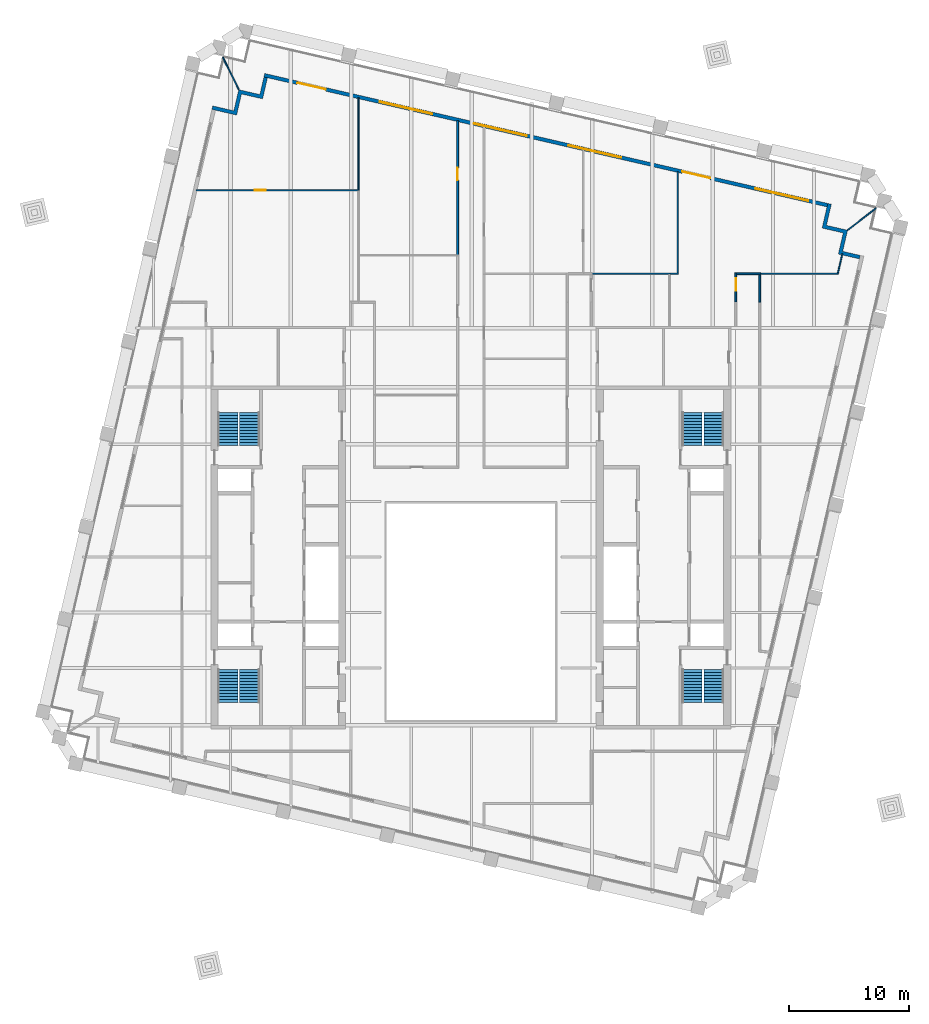
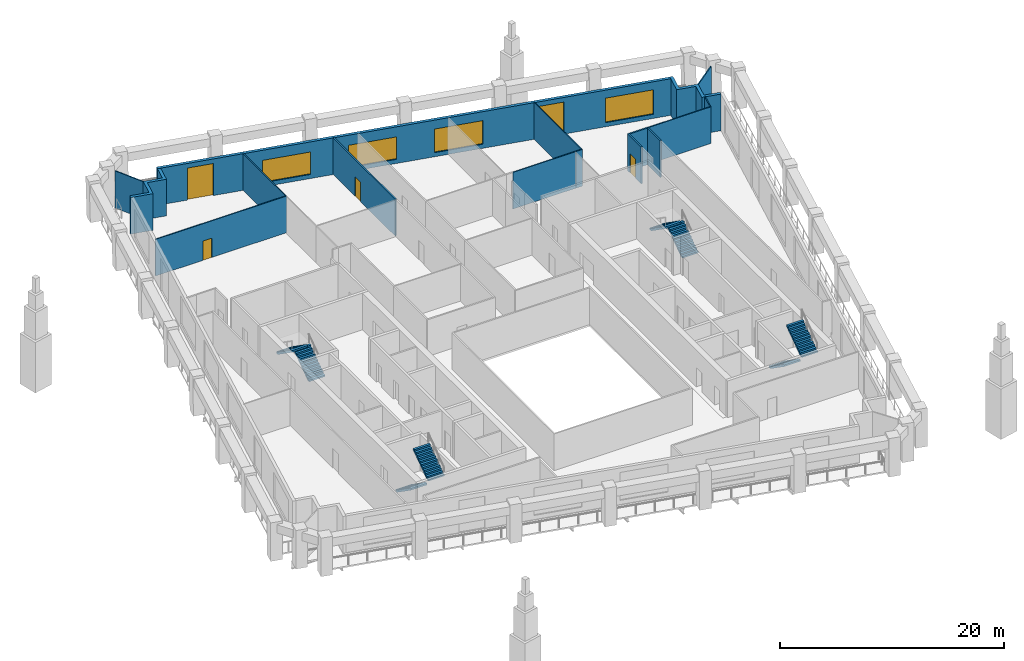
# One storey, part 8 of 9: 16 walls, 8 stair flights, 5 doors, 4 windows, 9 openings, 4 elements without a shape of their own.
"""IFC4 building model written with IfcOpenShell, lengths in metres."""

from ifc_helpers import new_model, si_unit, direction, frame, frame_2d, origin, place, context, subcontext, project, spatial, polyline, rectangle, outline, extrude, material, layer, layer_set, type_object, element, fill, aggregate, save


model = new_model("IFC4")

# Units and contexts
model_context = context("Model", 3, precision=1e-05, world=origin(), true_north=direction((0.0, 1.0)))
body_context = subcontext(model_context, "Body", "Model", "MODEL_VIEW")
ifc_project = project(units=[si_unit("LENGTHUNIT", "METRE"), si_unit("AREAUNIT", "SQUARE_METRE"), si_unit("VOLUMEUNIT", "CUBIC_METRE"), si_unit("PLANEANGLEUNIT", "RADIAN"), si_unit("MASSUNIT", "GRAM", prefix="KILO")], contexts=[model_context])

# Site, building, storey
site_placement = place(None, origin())
site = spatial("IfcSite", under=ifc_project, at=site_placement, CompositionType="ELEMENT")
building_placement = place(site_placement, origin())
building = spatial("IfcBuilding", under=site, at=building_placement, Name="Ogive Exchange Tower", CompositionType="ELEMENT")
storey_placement = place(building_placement, frame((0.0, 0.0, 243.0)))
storey = spatial("IfcBuildingStorey", under=building, at=storey_placement, Name="L52", CompositionType="ELEMENT", Elevation=243.0)

# Wall, opening, door
ifc_material_1 = material(Name="Fire partition EI 60 150")
ifc_layer_1 = layer(ifc_material_1, 0.14990234375)
ifc_layer_set_1 = layer_set([ifc_layer_1], Name="Fire partition EI 60 150")
wall_type_1 = type_object("IfcWallType", Name="Fire partition EI 60 150", PredefinedType="PARTITIONING", material=ifc_layer_set_1)
wall_1_placement = place(storey_placement, frame((-1.10009765625, 36.639892578125, 0.0), z_axis=(0.0, 0.0, 1.0), x_axis=(0.0, 1.0, 0.0)))
wall_1 = element("IfcWall", 1, at=wall_1_placement, inside=storey, type_object=wall_type_1, Name="L52-PWL-026", PredefinedType="PARTITIONING", context=body_context, shape_type="SweptSolid", body=[
    extrude(rectangle(XDim=11.13818359375, YDim=0.14990234375, at=frame_2d((5.569091796875, 0.0))), origin(), (0.0, 0.0, 1.0), 4.0),
])
opening_1_placement = place(wall_1_placement, frame((6.2099609375, 0.0, 0.0)))
opening_1 = element("IfcOpeningElement", 2, at=opening_1_placement, cuts=wall_1, Name="Opening L52-I03", PredefinedType="OPENING", context=body_context, shape_type="SweptSolid", body=[
    extrude(rectangle(XDim=1.0, YDim=2.10009765625, at=frame_2d((0.5, 1.050048828125))), frame((0.0, 0.0849609375, 0.0), z_axis=(0.0, -1.0, 0.0), x_axis=(1.0, 0.0, 0.0)), (0.0, 0.0, 1.0), 0.169921875),
])
ifc_material_2 = material(Name="Fire door FD 30S 1000 x 2100")
door_type_1 = type_object("IfcDoorType", Name="Fire door FD 30S 1000 x 2100", OperationType="NOTDEFINED", PredefinedType="DOOR", material=ifc_material_2)
door_1_placement = place(opening_1_placement, origin())
door_1 = element("IfcDoor", 3, at=door_1_placement, inside=storey, type_object=door_type_1, Name="L52-IDR-003", ObjectType="DT3", OperationType="SINGLE_SWING_RIGHT", OverallHeight=2.10009765625, OverallWidth=1.0, PredefinedType="DOOR", context=body_context, shape_type="SweptSolid", body=[
    extrude(rectangle(XDim=1.0, YDim=2.10009765625, at=frame_2d((0.5, 1.050048828125))), frame((0.0, 0.02490234375, 0.0), z_axis=(0.0, -1.0, 0.0), x_axis=(1.0, 0.0, 0.0)), (0.0, 0.0, 1.0), 0.050048828125),
])
fill(opening_1, door_1)

wall_2_placement = place(storey_placement, frame((22.010009765625, 32.699951171875, 0.0), z_axis=(0.0, 0.0, 1.0), x_axis=(0.0, 1.0, 0.0)))
wall_2 = element("IfcWall", 4, at=wall_2_placement, inside=storey, type_object=wall_type_1, Name="L52-PWL-049", PredefinedType="PARTITIONING", context=body_context, shape_type="SweptSolid", body=[
    extrude(rectangle(XDim=2.445068359375, YDim=0.14990234375, at=frame_2d((1.22265625, 0.0))), origin(), (0.0, 0.0, 1.0), 4.0),
])
opening_2_placement = place(wall_2_placement, frame((0.969970703125, 0.0, 0.0)))
opening_2 = element("IfcOpeningElement", 5, at=opening_2_placement, cuts=wall_2, Name="Opening L52-I14", PredefinedType="OPENING", context=body_context, shape_type="SweptSolid", body=[
    extrude(rectangle(XDim=1.0, YDim=2.10009765625, at=frame_2d((0.5, 1.050048828125))), frame((0.0, 0.0849609375, 0.0), z_axis=(0.0, -1.0, 0.0), x_axis=(1.0, 0.0, 0.0)), (0.0, 0.0, 1.0), 0.169921875),
])
door_2_placement = place(opening_2_placement, origin())
door_2 = element("IfcDoor", 6, at=door_2_placement, inside=storey, type_object=door_type_1, Name="L52-IDR-014", ObjectType="DT3", OperationType="SINGLE_SWING_RIGHT", OverallHeight=2.10009765625, OverallWidth=1.0, PredefinedType="DOOR", context=body_context, shape_type="SweptSolid", body=[
    extrude(rectangle(XDim=1.0, YDim=2.10009765625, at=frame_2d((0.5, 1.050048828125))), frame((0.0, 0.02490234375, 0.0), z_axis=(0.0, -1.0, 0.0), x_axis=(1.0, 0.0, 0.0)), (0.0, 0.0, 1.0), 0.050048828125),
])
fill(opening_2, door_2)

# Walls
wall_3_placement = place(storey_placement, frame((22.0849609375, 35.070068359375, 0.0), z_axis=(0.0, 0.0, 1.0), x_axis=(1.0, 0.0, 0.0)))
element("IfcWall", 7, at=wall_3_placement, inside=storey, type_object=wall_type_1, Name="L52-PWL-050", PredefinedType="PARTITIONING", context=body_context, shape_type="SweptSolid", body=[
    extrude(rectangle(XDim=1.97998046875, YDim=0.14990234375, at=frame_2d((0.989990234375, 0.0))), origin(), (0.0, 0.0, 1.0), 4.0),
])
wall_4_placement = place(storey_placement, frame((23.989990234375, 34.9951171875, 0.0), z_axis=(0.0, 0.0, 1.0), x_axis=(0.0, -1.0, 0.0)))
element("IfcWall", 8, at=wall_4_placement, inside=storey, type_object=wall_type_1, Name="L52-PWL-052", PredefinedType="PARTITIONING", context=body_context, shape_type="SweptSolid", body=[
    extrude(rectangle(XDim=2.295166015625, YDim=0.14990234375, at=frame_2d((1.1474609375, 0.0))), origin(), (0.0, 0.0, 1.0), 4.0),
])

# Wall, openings, doors, windows
ifc_material_3 = material(Name="Precast concrete C40/50", Category="concrete")
ifc_layer_2 = layer(ifc_material_3, 0.300048828125)
ifc_layer_set_2 = layer_set([ifc_layer_2], Name="Limestone-faced wall 300")
wall_type_2 = type_object("IfcWallType", Name="Limestone-faced wall 300", PredefinedType="STANDARD", material=ifc_layer_set_2)
wall_5_placement = place(storey_placement, frame((29.6162109375, 40.75830078125, 0.0), z_axis=(0.0, 0.0, 1.0), x_axis=(-0.974370532314, 0.224949029246, 0.0)))
wall_5 = element("IfcWall", 9, at=wall_5_placement, inside=storey, type_object=wall_type_2, Name="External wall N3", PredefinedType="STANDARD", context=body_context, shape_type="SweptSolid", body=[
    extrude(rectangle(XDim=48.000244140625, YDim=0.300048828125, at=frame_2d((24.0, 0.0))), origin(), (0.0, 0.0, 1.0), 4.0),
])
opening_3_placement = place(wall_5_placement, frame((1.625, 0.0, 0.449951171875)))
opening_3 = element("IfcOpeningElement", 10, at=opening_3_placement, cuts=wall_5, Name="Opening W1J", PredefinedType="OPENING", context=body_context, shape_type="SweptSolid", body=[
    extrude(rectangle(XDim=4.5, YDim=2.675048828125, at=frame_2d((2.25, 1.33740234375))), frame((0.0, 0.159912109375, 0.0), z_axis=(0.0, -1.0, 0.0), x_axis=(1.0, 0.0, 0.0)), (0.0, 0.0, 1.0), 0.320068359375),
])
opening_4_placement = place(wall_5_placement, frame((9.97509765625, 0.0, 0.0)))
opening_4 = element("IfcOpeningElement", 11, at=opening_4_placement, cuts=wall_5, Name="Opening D1", PredefinedType="OPENING", context=body_context, shape_type="SweptSolid", body=[
    extrude(rectangle(XDim=2.39990234375, YDim=3.5, at=frame_2d((1.199951171875, 1.75))), frame((0.0, 0.159912109375, 0.0), z_axis=(0.0, -1.0, 0.0), x_axis=(1.0, 0.0, 0.0)), (0.0, 0.0, 1.0), 0.320068359375),
])
opening_5_placement = place(wall_5_placement, frame((17.574951171875, 0.0, 0.449951171875)))
opening_5 = element("IfcOpeningElement", 12, at=opening_5_placement, cuts=wall_5, Name="Opening W1M", PredefinedType="OPENING", context=body_context, shape_type="SweptSolid", body=[
    extrude(rectangle(XDim=4.5, YDim=2.574951171875, at=frame_2d((2.25, 1.28759765625))), frame((0.0, 0.159912109375, 0.0), z_axis=(0.0, -1.0, 0.0), x_axis=(1.0, 0.0, 0.0)), (0.0, 0.0, 1.0), 0.320068359375),
])
opening_6_placement = place(wall_5_placement, frame((25.625, 0.0, 0.449951171875)))
opening_6 = element("IfcOpeningElement", 13, at=opening_6_placement, cuts=wall_5, Name="Opening W1Q", PredefinedType="OPENING", context=body_context, shape_type="SweptSolid", body=[
    extrude(rectangle(XDim=4.5, YDim=2.449951171875, at=frame_2d((2.25, 1.22509765625))), frame((0.0, 0.159912109375, 0.0), z_axis=(0.0, -1.0, 0.0), x_axis=(1.0, 0.0, 0.0)), (0.0, 0.0, 1.0), 0.320068359375),
])
opening_7_placement = place(wall_5_placement, frame((33.675048828125, 0.0, 0.449951171875)))
opening_7 = element("IfcOpeningElement", 14, at=opening_7_placement, cuts=wall_5, Name="Opening W1Q", PredefinedType="OPENING", context=body_context, shape_type="SweptSolid", body=[
    extrude(rectangle(XDim=4.5, YDim=2.449951171875, at=frame_2d((2.25, 1.22509765625))), frame((0.0, 0.159912109375, 0.0), z_axis=(0.0, -1.0, 0.0), x_axis=(1.0, 0.0, 0.0)), (0.0, 0.0, 1.0), 0.320068359375),
])
opening_8_placement = place(wall_5_placement, frame((42.77490234375, 0.0, 0.0)))
opening_8 = element("IfcOpeningElement", 15, at=opening_8_placement, cuts=wall_5, Name="Opening D1", PredefinedType="OPENING", context=body_context, shape_type="SweptSolid", body=[
    extrude(rectangle(XDim=2.39990234375, YDim=3.5, at=frame_2d((1.199951171875, 1.75))), frame((0.0, 0.159912109375, 0.0), z_axis=(0.0, -1.0, 0.0), x_axis=(1.0, 0.0, 0.0)), (0.0, 0.0, 1.0), 0.320068359375),
])
ifc_material_4 = material(Name="Clear glass in bronze frame", Category="glass")
door_type_2 = type_object("IfcDoorType", Name="Sliding loggia door 2400 x 3500", OperationType="DOUBLE_DOOR_SLIDING", PredefinedType="DOOR", material=ifc_material_4)
door_3_placement = place(opening_4_placement, origin())
door_3 = element("IfcDoor", 16, at=door_3_placement, inside=storey, type_object=door_type_2, Name="Loggia door N01", OperationType="DOUBLE_DOOR_SLIDING", OverallHeight=3.5, OverallWidth=2.39990234375, PredefinedType="DOOR", context=body_context, shape_type="SweptSolid", body=[
    extrude(rectangle(XDim=2.39990234375, YDim=3.5, at=frame_2d((1.199951171875, 1.75))), frame((0.0, 0.02490234375, 0.0), z_axis=(0.0, -1.0, 0.0), x_axis=(1.0, 0.0, 0.0)), (0.0, 0.0, 1.0), 0.050048828125),
])
fill(opening_4, door_3)
door_4_placement = place(opening_8_placement, origin())
door_4 = element("IfcDoor", 17, at=door_4_placement, inside=storey, type_object=door_type_2, Name="Loggia door N05", OperationType="DOUBLE_DOOR_SLIDING", OverallHeight=3.5, OverallWidth=2.39990234375, PredefinedType="DOOR", context=body_context, shape_type="SweptSolid", body=[
    extrude(rectangle(XDim=2.39990234375, YDim=3.5, at=frame_2d((1.199951171875, 1.75))), frame((0.0, 0.02490234375, 0.0), z_axis=(0.0, -1.0, 0.0), x_axis=(1.0, 0.0, 0.0)), (0.0, 0.0, 1.0), 0.050048828125),
])
fill(opening_8, door_4)
window_type_1 = type_object("IfcWindowType", Name="Twin lancet window 4500 x 2450", PartitioningType="DOUBLE_PANEL_VERTICAL", PredefinedType="WINDOW", material=ifc_material_4)
window_1_placement = place(opening_6_placement, origin())
window_1 = element("IfcWindow", 18, at=window_1_placement, inside=storey, type_object=window_type_1, Name="Window N03", OverallHeight=2.449951171875, OverallWidth=4.5, PartitioningType="DOUBLE_PANEL_VERTICAL", PredefinedType="WINDOW", context=body_context, shape_type="SweptSolid", body=[
    extrude(rectangle(XDim=4.5, YDim=2.449951171875, at=frame_2d((2.25, 1.22509765625))), frame((0.0, 0.030029296875, 0.0), z_axis=(0.0, -1.0, 0.0), x_axis=(1.0, 0.0, 0.0)), (0.0, 0.0, 1.0), 0.06005859375),
])
fill(opening_6, window_1)
window_2_placement = place(opening_7_placement, origin())
window_2 = element("IfcWindow", 19, at=window_2_placement, inside=storey, type_object=window_type_1, Name="Window N04", OverallHeight=2.449951171875, OverallWidth=4.5, PartitioningType="DOUBLE_PANEL_VERTICAL", PredefinedType="WINDOW", context=body_context, shape_type="SweptSolid", body=[
    extrude(rectangle(XDim=4.5, YDim=2.449951171875, at=frame_2d((2.25, 1.22509765625))), frame((0.0, 0.030029296875, 0.0), z_axis=(0.0, -1.0, 0.0), x_axis=(1.0, 0.0, 0.0)), (0.0, 0.0, 1.0), 0.06005859375),
])
fill(opening_7, window_2)
window_type_2 = type_object("IfcWindowType", Name="Twin lancet window 4500 x 2575", PartitioningType="DOUBLE_PANEL_VERTICAL", PredefinedType="WINDOW", material=ifc_material_4)
window_3_placement = place(opening_5_placement, origin())
window_3 = element("IfcWindow", 20, at=window_3_placement, inside=storey, type_object=window_type_2, Name="Window N02", OverallHeight=2.574951171875, OverallWidth=4.5, PartitioningType="DOUBLE_PANEL_VERTICAL", PredefinedType="WINDOW", context=body_context, shape_type="SweptSolid", body=[
    extrude(rectangle(XDim=4.5, YDim=2.574951171875, at=frame_2d((2.25, 1.28759765625))), frame((0.0, 0.030029296875, 0.0), z_axis=(0.0, -1.0, 0.0), x_axis=(1.0, 0.0, 0.0)), (0.0, 0.0, 1.0), 0.06005859375),
])
fill(opening_5, window_3)
window_type_3 = type_object("IfcWindowType", Name="Twin lancet window 4500 x 2675", PartitioningType="DOUBLE_PANEL_VERTICAL", PredefinedType="WINDOW", material=ifc_material_4)
window_4_placement = place(opening_3_placement, origin())
window_4 = element("IfcWindow", 21, at=window_4_placement, inside=storey, type_object=window_type_3, Name="Window N00", OverallHeight=2.675048828125, OverallWidth=4.5, PartitioningType="DOUBLE_PANEL_VERTICAL", PredefinedType="WINDOW", context=body_context, shape_type="SweptSolid", body=[
    extrude(rectangle(XDim=4.5, YDim=2.675048828125, at=frame_2d((2.25, 1.33740234375))), frame((0.0, 0.030029296875, 0.0), z_axis=(0.0, -1.0, 0.0), x_axis=(1.0, 0.0, 0.0)), (0.0, 0.0, 1.0), 0.06005859375),
])
fill(opening_3, window_4)

# Walls
wall_6_placement = place(storey_placement, origin())
element("IfcWall", 22, at=wall_6_placement, inside=storey, type_object=wall_type_2, Name="External corner wall C2", PredefinedType="STANDARD", context=body_context, shape_type="SweptSolid", body=[
    extrude(outline(polyline([(30.931396484375, 38.453369140625), (29.177490234375, 38.8583984375), (29.64990234375, 40.904541015625), (29.942138671875, 40.8369140625), (29.537109375, 39.0830078125), (31.291015625, 38.67822265625), (30.88623046875, 36.92431640625), (32.34765625, 36.5869140625), (32.2802734375, 36.294677734375), (30.5263671875, 36.699462890625), (30.931396484375, 38.453369140625)])), origin(), (0.0, 0.0, 1.0), 4.0),
])
wall_7_placement = place(storey_placement, origin())
element("IfcWall", 23, at=wall_7_placement, inside=storey, type_object=wall_type_2, Name="External corner wall C3", PredefinedType="STANDARD", context=body_context, shape_type="SweptSolid", body=[
    extrude(outline(polyline([(-21.5048828125, 48.7119140625), (-21.4375, 49.004150390625), (-19.68359375, 48.599365234375), (-19.27880859375, 50.353271484375), (-17.52490234375, 49.9482421875), (-17.1875, 51.409912109375), (-16.89501953125, 51.34228515625), (-17.300048828125, 49.58837890625), (-19.053955078125, 49.993408203125), (-19.458740234375, 48.239501953125), (-21.5048828125, 48.7119140625)])), origin(), (0.0, 0.0, 1.0), 4.0),
])
ifc_material_5 = material(Name="Laminated safety glass in steel frame", Category="steel")
ifc_layer_3 = layer(ifc_material_5, 0.10009765625)
ifc_layer_set_3 = layer_set([ifc_layer_3], Name="Loggia end screen 100")
wall_type_3 = type_object("IfcWallType", Name="Loggia end screen 100", PredefinedType="STANDARD", material=ifc_layer_set_3)
for number, where, z_axis, x_axis, name in (
    (24, (31.291015625, 38.67822265625, -0.050048828125), (0.0, 0.0, 1.0), (0.789894955112, 0.61324217067, 0.0), "Loggia end screen C2"),
    (25, (-19.27880859375, 50.353271484375, -0.050048828125), (0.0, 0.0, 1.0), (-0.441086650256, 0.897464521285, 0.0), "Loggia end screen C3"),
):
    element("IfcWall", number, at=place(storey_placement, frame(where, z_axis=z_axis, x_axis=x_axis)), inside=storey, type_object=wall_type_3, Name=name, PredefinedType="STANDARD", context=body_context, shape_type="SweptSolid", body=[
        extrude(rectangle(XDim=3.001708984375, YDim=0.10009765625, at=frame_2d((1.5009765625, 0.0))), origin(), (0.0, 0.0, 1.0), 4.050048828125),
    ])

# Wall, opening, door
ifc_material_6 = material(Name="Partition 100 gypsum")
ifc_layer_4 = layer(ifc_material_6, 0.10009765625)
ifc_layer_set_4 = layer_set([ifc_layer_4], Name="Partition 100 gypsum")
wall_type_4 = type_object("IfcWallType", Name="Partition 100 gypsum", PredefinedType="PARTITIONING", material=ifc_layer_set_4)
wall_8_placement = place(storey_placement, frame((-22.8291015625, 42.0, 0.0), z_axis=(0.0, 0.0, 1.0), x_axis=(1.0, 0.0, 0.0)))
wall_8 = element("IfcWall", 26, at=wall_8_placement, inside=storey, type_object=wall_type_4, Name="L52-PWL-008", PredefinedType="PARTITIONING", context=body_context, shape_type="SweptSolid", body=[
    extrude(rectangle(XDim=13.5390625, YDim=0.10009765625, at=frame_2d((6.76953125, 0.0))), origin(), (0.0, 0.0, 1.0), 4.0),
])
opening_9_placement = place(wall_8_placement, frame((4.888916015625, 0.0, 0.0)))
opening_9 = element("IfcOpeningElement", 27, at=opening_9_placement, cuts=wall_8, Name="Opening L52-I06", PredefinedType="OPENING", context=body_context, shape_type="SweptSolid", body=[
    extrude(rectangle(XDim=0.89990234375, YDim=2.10009765625, at=frame_2d((0.449951171875, 1.050048828125))), frame((0.0, 0.06005859375, 0.0), z_axis=(0.0, -1.0, 0.0), x_axis=(1.0, 0.0, 0.0)), (0.0, 0.0, 1.0), 0.1201171875),
])
ifc_material_7 = material(Name="Door 900 x 2100")
door_type_3 = type_object("IfcDoorType", Name="Door 900 x 2100", OperationType="NOTDEFINED", PredefinedType="DOOR", material=ifc_material_7)
door_5_placement = place(opening_9_placement, origin())
door_5 = element("IfcDoor", 28, at=door_5_placement, inside=storey, type_object=door_type_3, Name="L52-IDR-006", ObjectType="DT1", OperationType="SINGLE_SWING_LEFT", OverallHeight=2.10009765625, OverallWidth=0.89990234375, PredefinedType="DOOR", context=body_context, shape_type="SweptSolid", body=[
    extrude(rectangle(XDim=0.89990234375, YDim=2.10009765625, at=frame_2d((0.449951171875, 1.050048828125))), frame((0.0, 0.02490234375, 0.0), z_axis=(0.0, -1.0, 0.0), x_axis=(1.0, 0.0, 0.0)), (0.0, 0.0, 1.0), 0.050048828125),
])
fill(opening_9, door_5)

# Walls
wall_9_placement = place(storey_placement, frame((-9.340087890625, 42.050048828125, 0.0), z_axis=(0.0, 0.0, 1.0), x_axis=(0.0, 1.0, 0.0)))
element("IfcWall", 29, at=wall_9_placement, inside=storey, type_object=wall_type_4, Name="L52-PWL-019", PredefinedType="PARTITIONING", context=body_context, shape_type="SweptSolid", body=[
    extrude(rectangle(XDim=7.630859375, YDim=0.10009765625, at=frame_2d((3.8154296875, 0.0))), origin(), (0.0, 0.0, 1.0), 4.0),
])
wall_10_placement = place(storey_placement, frame((10.06494140625, 35.070068359375, 0.0), z_axis=(0.0, 0.0, 1.0), x_axis=(1.0, 0.0, 0.0)))
element("IfcWall", 30, at=wall_10_placement, inside=storey, type_object=wall_type_4, Name="L52-PWL-041", PredefinedType="PARTITIONING", context=body_context, shape_type="SweptSolid", body=[
    extrude(rectangle(XDim=6.485107421875, YDim=0.10009765625, at=frame_2d((3.24267578125, 0.0))), origin(), (0.0, 0.0, 1.0), 4.0),
])
wall_11_placement = place(storey_placement, frame((17.239990234375, 35.070068359375, 0.0), z_axis=(0.0, 0.0, 1.0), x_axis=(-1.0, 0.0, 0.0)))
element("IfcWall", 31, at=wall_11_placement, inside=storey, type_object=wall_type_4, Name="L52-PWL-046", PredefinedType="PARTITIONING", context=body_context, shape_type="SweptSolid", body=[
    extrude(rectangle(XDim=0.68994140625, YDim=0.10009765625, at=frame_2d((0.344970703125, 0.0))), origin(), (0.0, 0.0, 1.0), 4.0),
])
wall_12_placement = place(storey_placement, frame((17.18994140625, 43.555908203125, 0.0), z_axis=(0.0, 0.0, 1.0), x_axis=(0.0, -1.0, 0.0)))
element("IfcWall", 32, at=wall_12_placement, inside=storey, type_object=wall_type_4, Name="L52-PWL-047", PredefinedType="PARTITIONING", context=body_context, shape_type="SweptSolid", body=[
    extrude(rectangle(XDim=8.435791015625, YDim=0.10009765625, at=frame_2d((4.2177734375, 0.0))), origin(), (0.0, 0.0, 1.0), 4.0),
])
wall_13_placement = place(storey_placement, frame((24.06494140625, 35.070068359375, 0.0), z_axis=(0.0, 0.0, 1.0), x_axis=(1.0, 0.0, 0.0)))
element("IfcWall", 33, at=wall_13_placement, inside=storey, type_object=wall_type_4, Name="L52-PWL-053", PredefinedType="PARTITIONING", context=body_context, shape_type="SweptSolid", body=[
    extrude(rectangle(XDim=6.465087890625, YDim=0.10009765625, at=frame_2d((3.232421875, 0.0))), origin(), (0.0, 0.0, 1.0), 4.0),
])
wall_14_placement = place(storey_placement, frame((30.490966796875, 35.118896484375, 0.0), z_axis=(0.0, 0.0, 1.0), x_axis=(0.221461033886, 0.975169221453, 0.0)))
element("IfcWall", 34, at=wall_14_placement, inside=storey, type_object=wall_type_4, Name="L52-PWL-056", PredefinedType="PARTITIONING", context=body_context, shape_type="SweptSolid", body=[
    extrude(rectangle(XDim=1.648193359375, YDim=0.10009765625, at=frame_2d((0.82421875, 0.0))), origin(), (0.0, 0.0, 1.0), 4.0),
])

# Stair, stair flights
ifc_material_8 = material(Name="Concrete C40/50", Category="concrete")
stair_type = type_object("IfcStairType", Name="Exit stair 1650 wide", PredefinedType="HALF_TURN_STAIR", material=ifc_material_8)
stair_1_placement = place(storey_placement, origin())
stair_1 = element("IfcStair", 35, at=stair_1_placement, inside=storey, type_object=stair_type, Name="L52 exit stair ST1", PredefinedType="HALF_TURN_STAIR")
stair_flight_type = type_object("IfcStairFlightType", Name="Stair flight 1650 wide", PredefinedType="STRAIGHT", material=ifc_material_8)
stair_flight_1_placement = place(storey_placement, frame((-20.175048828125, 2.199951171875, 0.0), z_axis=(0.0, 0.0, 1.0), x_axis=(0.0, -1.0, 0.0)))
stair_flight_1 = element("IfcStairFlight", 36, at=stair_flight_1_placement, type_object=stair_flight_type, Name="ST1 flight 1", NumberOfRisers=12, NumberOfTreads=11, PredefinedType="STRAIGHT", RiserHeight=0.175, TreadLength=0.25, context=body_context, shape_type="SweptSolid", body=[
    extrude(outline(polyline([(0.0, 0.0), (0.0, 0.175048828125), (0.25, 0.175048828125), (0.25, 0.35009765625), (0.5, 0.35009765625), (0.5, 0.52490234375), (0.75, 0.52490234375), (0.75, 0.699951171875), (1.0, 0.699951171875), (1.0, 0.875), (1.25, 0.875), (1.25, 1.050048828125), (1.5, 1.050048828125), (1.5, 1.22509765625), (1.75, 1.22509765625), (1.75, 1.39990234375), (2.0, 1.39990234375), (2.0, 1.574951171875), (2.25, 1.574951171875), (2.25, 1.75), (2.5, 1.75), (2.5, 1.925048828125), (2.75, 1.925048828125), (2.75, 2.10009765625), (2.75, 1.741943359375), (0.261474609375, 0.0), (0.0, 0.0)])), frame((0.0, 0.824951171875, 0.0), z_axis=(0.0, -1.0, 0.0), x_axis=(1.0, 0.0, 0.0)), (0.0, 0.0, 1.0), 1.64990234375),
])
stair_flight_2_placement = place(storey_placement, frame((-18.375, -0.550048828125, 2.10009765625), z_axis=(0.0, 0.0, 1.0), x_axis=(0.0, 1.0, 0.0)))
stair_flight_2 = element("IfcStairFlight", 37, at=stair_flight_2_placement, type_object=stair_flight_type, Name="ST1 flight 2", NumberOfRisers=12, NumberOfTreads=11, PredefinedType="STRAIGHT", RiserHeight=0.175, TreadLength=0.25, context=body_context, shape_type="SweptSolid", body=[
    extrude(outline(polyline([(0.0, 0.0), (0.0, 0.175048828125), (0.25, 0.175048828125), (0.25, 0.35009765625), (0.5, 0.35009765625), (0.5, 0.52490234375), (0.75, 0.52490234375), (0.75, 0.699951171875), (1.0, 0.699951171875), (1.0, 0.875), (1.25, 0.875), (1.25, 1.050048828125), (1.5, 1.050048828125), (1.5, 1.22509765625), (1.75, 1.22509765625), (1.75, 1.39990234375), (2.0, 1.39990234375), (2.0, 1.574951171875), (2.25, 1.574951171875), (2.25, 1.75), (2.5, 1.75), (2.5, 1.925048828125), (2.75, 1.925048828125), (2.75, 2.10009765625), (2.75, 1.741943359375), (0.261474609375, 0.0), (0.0, 0.0)])), frame((0.0, 0.824951171875, 0.0), z_axis=(0.0, -1.0, 0.0), x_axis=(1.0, 0.0, 0.0)), (0.0, 0.0, 1.0), 1.64990234375),
])
aggregate(stair_1, [stair_flight_1, stair_flight_2])

stair_2_placement = place(storey_placement, origin())
stair_2 = element("IfcStair", 38, at=stair_2_placement, inside=storey, type_object=stair_type, Name="L52 exit stair ST2", PredefinedType="HALF_TURN_STAIR")
stair_flight_3_placement = place(storey_placement, frame((-18.375, 20.800048828125, 0.0), z_axis=(0.0, 0.0, 1.0), x_axis=(0.0, 1.0, 0.0)))
stair_flight_3 = element("IfcStairFlight", 39, at=stair_flight_3_placement, type_object=stair_flight_type, Name="ST2 flight 1", NumberOfRisers=12, NumberOfTreads=11, PredefinedType="STRAIGHT", RiserHeight=0.175, TreadLength=0.25, context=body_context, shape_type="SweptSolid", body=[
    extrude(outline(polyline([(0.0, 0.0), (0.0, 0.175048828125), (0.25, 0.175048828125), (0.25, 0.35009765625), (0.5, 0.35009765625), (0.5, 0.52490234375), (0.75, 0.52490234375), (0.75, 0.699951171875), (1.0, 0.699951171875), (1.0, 0.875), (1.25, 0.875), (1.25, 1.050048828125), (1.5, 1.050048828125), (1.5, 1.22509765625), (1.75, 1.22509765625), (1.75, 1.39990234375), (2.0, 1.39990234375), (2.0, 1.574951171875), (2.25, 1.574951171875), (2.25, 1.75), (2.5, 1.75), (2.5, 1.925048828125), (2.75, 1.925048828125), (2.75, 2.10009765625), (2.75, 1.741943359375), (0.261474609375, 0.0), (0.0, 0.0)])), frame((0.0, 0.824951171875, 0.0), z_axis=(0.0, -1.0, 0.0), x_axis=(1.0, 0.0, 0.0)), (0.0, 0.0, 1.0), 1.64990234375),
])
stair_flight_4_placement = place(storey_placement, frame((-20.175048828125, 23.550048828125, 2.10009765625), z_axis=(0.0, 0.0, 1.0), x_axis=(0.0, -1.0, 0.0)))
stair_flight_4 = element("IfcStairFlight", 40, at=stair_flight_4_placement, type_object=stair_flight_type, Name="ST2 flight 2", NumberOfRisers=12, NumberOfTreads=11, PredefinedType="STRAIGHT", RiserHeight=0.175, TreadLength=0.25, context=body_context, shape_type="SweptSolid", body=[
    extrude(outline(polyline([(0.0, 0.0), (0.0, 0.175048828125), (0.25, 0.175048828125), (0.25, 0.35009765625), (0.5, 0.35009765625), (0.5, 0.52490234375), (0.75, 0.52490234375), (0.75, 0.699951171875), (1.0, 0.699951171875), (1.0, 0.875), (1.25, 0.875), (1.25, 1.050048828125), (1.5, 1.050048828125), (1.5, 1.22509765625), (1.75, 1.22509765625), (1.75, 1.39990234375), (2.0, 1.39990234375), (2.0, 1.574951171875), (2.25, 1.574951171875), (2.25, 1.75), (2.5, 1.75), (2.5, 1.925048828125), (2.75, 1.925048828125), (2.75, 2.10009765625), (2.75, 1.741943359375), (0.261474609375, 0.0), (0.0, 0.0)])), frame((0.0, 0.824951171875, 0.0), z_axis=(0.0, -1.0, 0.0), x_axis=(1.0, 0.0, 0.0)), (0.0, 0.0, 1.0), 1.64990234375),
])
aggregate(stair_2, [stair_flight_3, stair_flight_4])

stair_3_placement = place(storey_placement, origin())
stair_3 = element("IfcStair", 41, at=stair_3_placement, inside=storey, type_object=stair_type, Name="L52 exit stair ST3", PredefinedType="HALF_TURN_STAIR")
stair_flight_5_placement = place(storey_placement, frame((18.375, 2.199951171875, 0.0), z_axis=(0.0, 0.0, 1.0), x_axis=(0.0, -1.0, 0.0)))
stair_flight_5 = element("IfcStairFlight", 42, at=stair_flight_5_placement, type_object=stair_flight_type, Name="ST3 flight 1", NumberOfRisers=12, NumberOfTreads=11, PredefinedType="STRAIGHT", RiserHeight=0.175, TreadLength=0.25, context=body_context, shape_type="SweptSolid", body=[
    extrude(outline(polyline([(0.0, 0.0), (0.0, 0.175048828125), (0.25, 0.175048828125), (0.25, 0.35009765625), (0.5, 0.35009765625), (0.5, 0.52490234375), (0.75, 0.52490234375), (0.75, 0.699951171875), (1.0, 0.699951171875), (1.0, 0.875), (1.25, 0.875), (1.25, 1.050048828125), (1.5, 1.050048828125), (1.5, 1.22509765625), (1.75, 1.22509765625), (1.75, 1.39990234375), (2.0, 1.39990234375), (2.0, 1.574951171875), (2.25, 1.574951171875), (2.25, 1.75), (2.5, 1.75), (2.5, 1.925048828125), (2.75, 1.925048828125), (2.75, 2.10009765625), (2.75, 1.741943359375), (0.261474609375, 0.0), (0.0, 0.0)])), frame((0.0, 0.824951171875, 0.0), z_axis=(0.0, -1.0, 0.0), x_axis=(1.0, 0.0, 0.0)), (0.0, 0.0, 1.0), 1.64990234375),
])
stair_flight_6_placement = place(storey_placement, frame((20.175048828125, -0.550048828125, 2.10009765625), z_axis=(0.0, 0.0, 1.0), x_axis=(0.0, 1.0, 0.0)))
stair_flight_6 = element("IfcStairFlight", 43, at=stair_flight_6_placement, type_object=stair_flight_type, Name="ST3 flight 2", NumberOfRisers=12, NumberOfTreads=11, PredefinedType="STRAIGHT", RiserHeight=0.175, TreadLength=0.25, context=body_context, shape_type="SweptSolid", body=[
    extrude(outline(polyline([(0.0, 0.0), (0.0, 0.175048828125), (0.25, 0.175048828125), (0.25, 0.35009765625), (0.5, 0.35009765625), (0.5, 0.52490234375), (0.75, 0.52490234375), (0.75, 0.699951171875), (1.0, 0.699951171875), (1.0, 0.875), (1.25, 0.875), (1.25, 1.050048828125), (1.5, 1.050048828125), (1.5, 1.22509765625), (1.75, 1.22509765625), (1.75, 1.39990234375), (2.0, 1.39990234375), (2.0, 1.574951171875), (2.25, 1.574951171875), (2.25, 1.75), (2.5, 1.75), (2.5, 1.925048828125), (2.75, 1.925048828125), (2.75, 2.10009765625), (2.75, 1.741943359375), (0.261474609375, 0.0), (0.0, 0.0)])), frame((0.0, 0.824951171875, 0.0), z_axis=(0.0, -1.0, 0.0), x_axis=(1.0, 0.0, 0.0)), (0.0, 0.0, 1.0), 1.64990234375),
])
aggregate(stair_3, [stair_flight_5, stair_flight_6])

stair_4_placement = place(storey_placement, origin())
stair_4 = element("IfcStair", 44, at=stair_4_placement, inside=storey, type_object=stair_type, Name="L52 exit stair ST4", PredefinedType="HALF_TURN_STAIR")
stair_flight_7_placement = place(storey_placement, frame((20.175048828125, 20.800048828125, 0.0), z_axis=(0.0, 0.0, 1.0), x_axis=(0.0, 1.0, 0.0)))
stair_flight_7 = element("IfcStairFlight", 45, at=stair_flight_7_placement, type_object=stair_flight_type, Name="ST4 flight 1", NumberOfRisers=12, NumberOfTreads=11, PredefinedType="STRAIGHT", RiserHeight=0.175, TreadLength=0.25, context=body_context, shape_type="SweptSolid", body=[
    extrude(outline(polyline([(0.0, 0.0), (0.0, 0.175048828125), (0.25, 0.175048828125), (0.25, 0.35009765625), (0.5, 0.35009765625), (0.5, 0.52490234375), (0.75, 0.52490234375), (0.75, 0.699951171875), (1.0, 0.699951171875), (1.0, 0.875), (1.25, 0.875), (1.25, 1.050048828125), (1.5, 1.050048828125), (1.5, 1.22509765625), (1.75, 1.22509765625), (1.75, 1.39990234375), (2.0, 1.39990234375), (2.0, 1.574951171875), (2.25, 1.574951171875), (2.25, 1.75), (2.5, 1.75), (2.5, 1.925048828125), (2.75, 1.925048828125), (2.75, 2.10009765625), (2.75, 1.741943359375), (0.261474609375, 0.0), (0.0, 0.0)])), frame((0.0, 0.824951171875, 0.0), z_axis=(0.0, -1.0, 0.0), x_axis=(1.0, 0.0, 0.0)), (0.0, 0.0, 1.0), 1.64990234375),
])
stair_flight_8_placement = place(storey_placement, frame((18.375, 23.550048828125, 2.10009765625), z_axis=(0.0, 0.0, 1.0), x_axis=(0.0, -1.0, 0.0)))
stair_flight_8 = element("IfcStairFlight", 46, at=stair_flight_8_placement, type_object=stair_flight_type, Name="ST4 flight 2", NumberOfRisers=12, NumberOfTreads=11, PredefinedType="STRAIGHT", RiserHeight=0.175, TreadLength=0.25, context=body_context, shape_type="SweptSolid", body=[
    extrude(outline(polyline([(0.0, 0.0), (0.0, 0.175048828125), (0.25, 0.175048828125), (0.25, 0.35009765625), (0.5, 0.35009765625), (0.5, 0.52490234375), (0.75, 0.52490234375), (0.75, 0.699951171875), (1.0, 0.699951171875), (1.0, 0.875), (1.25, 0.875), (1.25, 1.050048828125), (1.5, 1.050048828125), (1.5, 1.22509765625), (1.75, 1.22509765625), (1.75, 1.39990234375), (2.0, 1.39990234375), (2.0, 1.574951171875), (2.25, 1.574951171875), (2.25, 1.75), (2.5, 1.75), (2.5, 1.925048828125), (2.75, 1.925048828125), (2.75, 2.10009765625), (2.75, 1.741943359375), (0.261474609375, 0.0), (0.0, 0.0)])), frame((0.0, 0.824951171875, 0.0), z_axis=(0.0, -1.0, 0.0), x_axis=(1.0, 0.0, 0.0)), (0.0, 0.0, 1.0), 1.64990234375),
])
aggregate(stair_4, [stair_flight_7, stair_flight_8])

save(model, "model.ifc")
